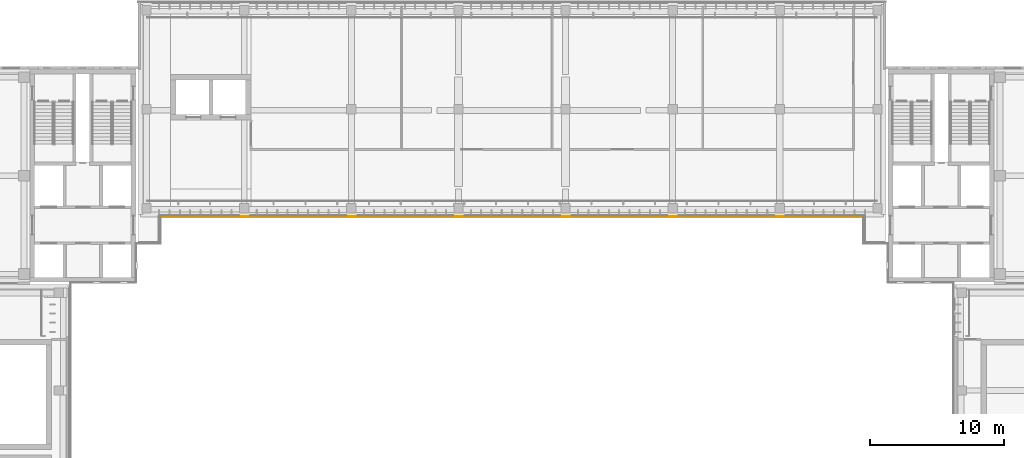
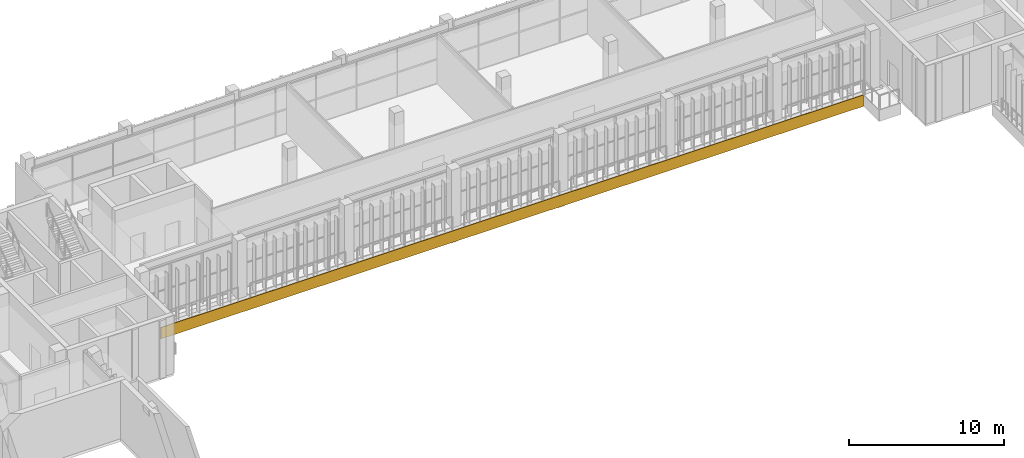
# One storey, part 64 of 73: 1 covering.
"""IFC4 building model written with IfcOpenShell, lengths in metres."""

from ifc_helpers import new_model, si_unit, direction, frame, frame_2d, origin, place, context, subcontext, project, spatial, rectangle, extrude, material, layer, layer_set, type_object, element, save


model = new_model("IFC4")

# Units and contexts
model_context = context("Model", 3, precision=1e-05, world=origin(), true_north=direction((0.0, 1.0)))
body_context = subcontext(model_context, "Body", "Model", "MODEL_VIEW")
ifc_project = project(units=[si_unit("LENGTHUNIT", "METRE"), si_unit("AREAUNIT", "SQUARE_METRE"), si_unit("VOLUMEUNIT", "CUBIC_METRE"), si_unit("PLANEANGLEUNIT", "RADIAN"), si_unit("MASSUNIT", "GRAM", prefix="KILO")], contexts=[model_context])

# Site, building, storey
site_placement = place(None, origin())
site = spatial("IfcSite", under=ifc_project, at=site_placement, CompositionType="ELEMENT")
building_placement = place(site_placement, origin())
building = spatial("IfcBuilding", under=site, at=building_placement, Name="Lantern Court Media Centre", CompositionType="ELEMENT")
storey_placement = place(building_placement, frame((0.0, 0.0, 24.0)))
storey = spatial("IfcBuildingStorey", under=building, at=storey_placement, Name="L05", CompositionType="ELEMENT", Elevation=24.0)

# Covering
ifc_material = material(Name="White glass-fibre reinforced cement cladding", Category="concrete")
ifc_layer = layer(ifc_material, 0.050048828125)
ifc_layer_set = layer_set([ifc_layer], Name="White glass-fibre reinforced cement cladding")
covering_type = type_object("IfcCoveringType", Name="Floor-edge band 50", PredefinedType="CLADDING", material=ifc_layer_set)
covering_placement = place(storey_placement, frame((25.75, 100.97509765625, -0.89990234375), z_axis=(0.0, 0.0, 1.0), x_axis=(1.0, 0.0, 0.0)))
element("IfcCovering", 1, at=covering_placement, inside=storey, type_object=covering_type, Name="Floor-edge band N inner L05", PredefinedType="CLADDING", context=body_context, shape_type="SweptSolid", body=[
    extrude(rectangle(XDim=52.5, YDim=0.050048828125, at=frame_2d((26.25, 0.0))), origin(), (0.0, 0.0, 1.0), 0.89990234375),
])

save(model, "model.ifc")
